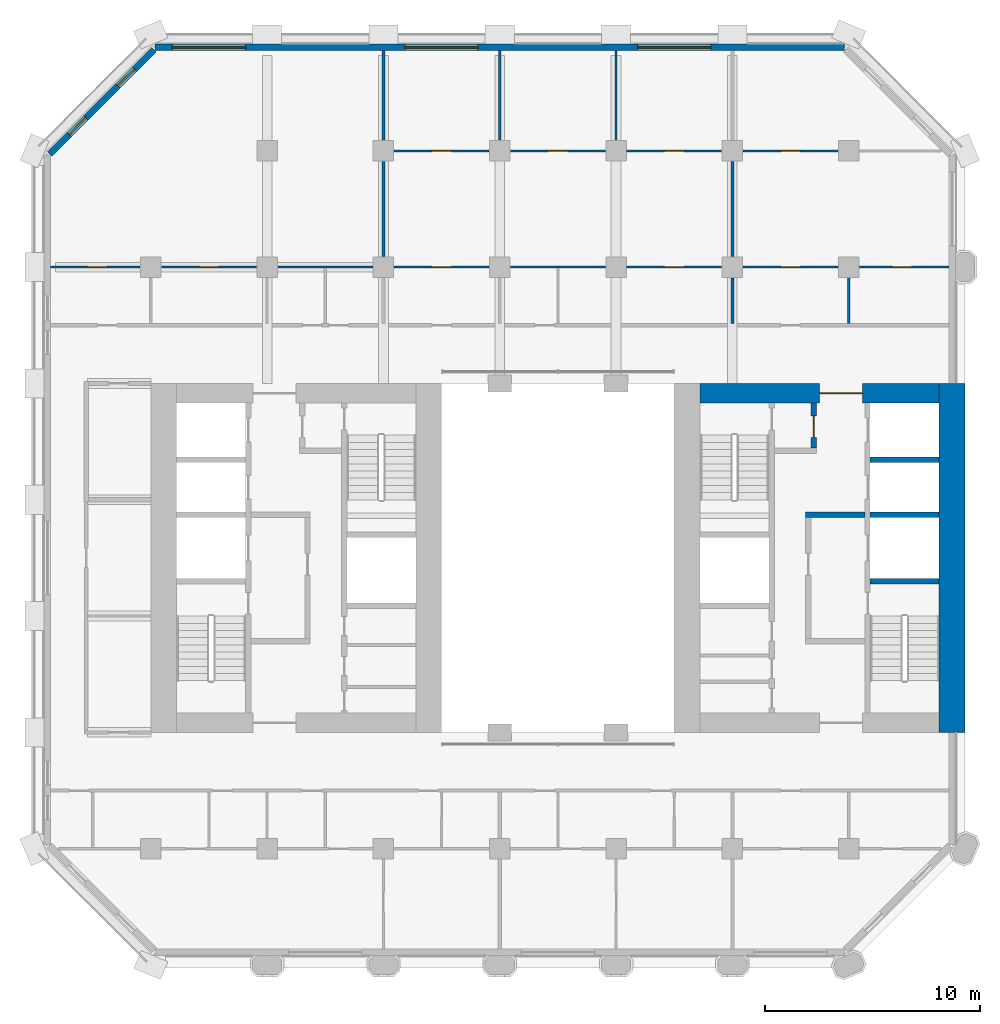
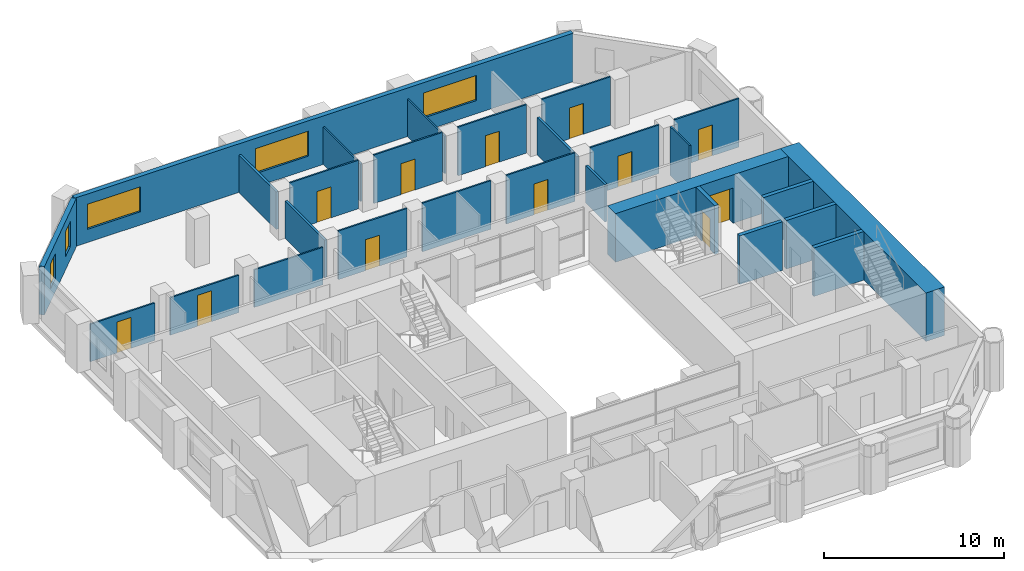
# One storey, part 9 of 13: 28 walls, 12 doors, 5 windows, 17 openings.
"""IFC4 building model written with IfcOpenShell, lengths in metres."""

from ifc_helpers import new_model, si_unit, direction, frame, frame_2d, origin, place, context, subcontext, project, spatial, rectangle, extrude, material, layer, layer_set, type_object, element, fill, save


model = new_model("IFC4")

# Units and contexts
model_context = context("Model", 3, precision=1e-05, world=origin(), true_north=direction((0.0, 1.0)))
body_context = subcontext(model_context, "Body", "Model", "MODEL_VIEW")
ifc_project = project(units=[si_unit("LENGTHUNIT", "METRE"), si_unit("AREAUNIT", "SQUARE_METRE"), si_unit("VOLUMEUNIT", "CUBIC_METRE"), si_unit("PLANEANGLEUNIT", "RADIAN"), si_unit("MASSUNIT", "GRAM", prefix="KILO")], contexts=[model_context])

# Site, building, storey
site_placement = place(None, origin())
site = spatial("IfcSite", under=ifc_project, at=site_placement, CompositionType="ELEMENT")
building_placement = place(site_placement, origin())
building = spatial("IfcBuilding", under=site, at=building_placement, Name="Tabaq Tower and Sports Hall", CompositionType="ELEMENT")
storey_placement = place(building_placement, frame((0.0, 0.0, 122.0)))
storey = spatial("IfcBuildingStorey", under=building, at=storey_placement, Name="L29", CompositionType="ELEMENT", Elevation=122.0)

# Wall
ifc_material_1 = material(Name="Concrete C60/75", Category="concrete")
ifc_layer_1 = layer(ifc_material_1, 1.199951171875)
ifc_layer_set_1 = layer_set([ifc_layer_1], Name="Core wall 1200 Concrete C60/75")
wall_type_1 = type_object("IfcWallType", Name="Core wall 1200 Concrete C60/75", PredefinedType="SOLIDWALL", material=ifc_layer_set_1)
wall_1_placement = place(storey_placement, frame((42.60009765625, 32.39990234375, 0.0), z_axis=(0.0, 0.0, 1.0), x_axis=(0.0, -1.0, 0.0)))
element("IfcWall", 1, at=wall_1_placement, inside=storey, type_object=wall_type_1, Name="Core wall E L29", PredefinedType="SOLIDWALL", context=body_context, shape_type="SweptSolid", body=[
    extrude(rectangle(XDim=16.199951171875, YDim=1.199951171875, at=frame_2d((8.10009765625, 0.0))), origin(), (0.0, 0.0, 1.0), 3.300048828125),
])

# Wall, opening, door
ifc_material_2 = material(Name="Concrete C60/75", Category="concrete")
ifc_layer_2 = layer(ifc_material_2, 0.89990234375)
ifc_layer_set_2 = layer_set([ifc_layer_2], Name="Core wall 900 Concrete C60/75")
wall_type_2 = type_object("IfcWallType", Name="Core wall 900 Concrete C60/75", PredefinedType="SOLIDWALL", material=ifc_layer_set_2)
wall_2_placement = place(storey_placement, frame((30.89990234375, 31.949951171875, 0.0), z_axis=(0.0, 0.0, 1.0), x_axis=(1.0, 0.0, 0.0)))
wall_2 = element("IfcWall", 2, at=wall_2_placement, inside=storey, type_object=wall_type_2, Name="Core wall E L29", PredefinedType="SOLIDWALL", context=body_context, shape_type="SweptSolid", body=[
    extrude(rectangle(XDim=11.10009765625, YDim=0.89990234375, at=frame_2d((5.550048828125, 0.0))), origin(), (0.0, 0.0, 1.0), 3.300048828125),
])
opening_1_placement = place(wall_2_placement, frame((5.550048828125, 0.0, 0.0)))
opening_1 = element("IfcOpeningElement", 3, at=opening_1_placement, cuts=wall_2, Name="Opening PD-EL29-02", PredefinedType="OPENING", context=body_context, shape_type="SweptSolid", body=[
    extrude(rectangle(XDim=2.0, YDim=2.39990234375, at=frame_2d((1.0, 1.199951171875))), frame((0.0, 0.449951171875, 0.0), z_axis=(0.0, -1.0, 0.0), x_axis=(1.0, 0.0, 0.0)), (0.0, 0.0, 1.0), 0.89990234375),
])
ifc_material_3 = material(Name="Steel fire door", Category="steel")
door_type_1 = type_object("IfcDoorType", Name="Core entrance door 2000", OperationType="DOUBLE_DOOR_SINGLE_SWING", PredefinedType="DOOR", material=ifc_material_3)
door_1_placement = place(opening_1_placement, origin())
door_1 = element("IfcDoor", 4, at=door_1_placement, inside=storey, type_object=door_type_1, Name="Core entrance north E L29", OperationType="DOUBLE_DOOR_SINGLE_SWING", OverallHeight=2.39990234375, OverallWidth=2.0, PredefinedType="DOOR", context=body_context, shape_type="SweptSolid", body=[
    extrude(rectangle(XDim=2.0, YDim=2.39990234375, at=frame_2d((1.0, 1.199951171875))), frame((0.0, 0.02490234375, 0.0), z_axis=(0.0, -1.0, 0.0), x_axis=(1.0, 0.0, 0.0)), (0.0, 0.0, 1.0), 0.050048828125),
])
fill(opening_1, door_1)

ifc_material_4 = material(Name="Gypsum board on steel studs", Category="steel")
ifc_layer_3 = layer(ifc_material_4, 0.10009765625)
ifc_layer_set_3 = layer_set([ifc_layer_3], Name="Partition 100 Gypsum board")
wall_type_3 = type_object("IfcWallType", Name="Partition 100 Gypsum board", PredefinedType="PARTITIONING", material=ifc_layer_set_3)
wall_3_placement = place(storey_placement, frame((4.905029296875, 37.800048828125, 0.0), z_axis=(0.0, 0.0, 1.0), x_axis=(-1.0, 0.0, 0.0)))
wall_3 = element("IfcWall", 5, at=wall_3_placement, inside=storey, type_object=wall_type_3, Name="Partition wall L29", PredefinedType="PARTITIONING", context=body_context, shape_type="SweptSolid", body=[
    extrude(rectangle(XDim=4.154052734375, YDim=0.10009765625, at=frame_2d((2.0771484375, 0.0))), origin(), (0.0, 0.0, 1.0), 2.550048828125),
])
opening_2_placement = place(wall_3_placement, frame((1.530029296875, 0.0, 0.0)))
opening_2 = element("IfcOpeningElement", 6, at=opening_2_placement, cuts=wall_3, Name="Opening L29-028", PredefinedType="OPENING", context=body_context, shape_type="SweptSolid", body=[
    extrude(rectangle(XDim=0.89990234375, YDim=2.10009765625, at=frame_2d((0.449951171875, 1.050048828125))), frame((0.0, 0.050048828125, 0.0), z_axis=(0.0, -1.0, 0.0), x_axis=(1.0, 0.0, 0.0)), (0.0, 0.0, 1.0), 0.10009765625),
])
ifc_material_5 = material(Name="Timber leaf in steel frame", Category="steel")
door_type_2 = type_object("IfcDoorType", Name="Internal door 900 right hand", OperationType="SINGLE_SWING_RIGHT", PredefinedType="DOOR", material=ifc_material_5)
door_2_placement = place(opening_2_placement, origin())
door_2 = element("IfcDoor", 7, at=door_2_placement, inside=storey, type_object=door_type_2, Name="Internal door L29-028", OperationType="SINGLE_SWING_RIGHT", OverallHeight=2.10009765625, OverallWidth=0.89990234375, PredefinedType="DOOR", context=body_context, shape_type="SweptSolid", body=[
    extrude(rectangle(XDim=0.89990234375, YDim=2.10009765625, at=frame_2d((0.449951171875, 1.050048828125))), frame((0.0, 0.02490234375, 0.0), z_axis=(0.0, -1.0, 0.0), x_axis=(1.0, 0.0, 0.0)), (0.0, 0.0, 1.0), 0.050048828125),
])
fill(opening_2, door_2)

wall_4_placement = place(storey_placement, frame((10.304931640625, 37.800048828125, 0.0), z_axis=(0.0, 0.0, 1.0), x_axis=(-1.0, 0.0, 0.0)))
wall_4 = element("IfcWall", 8, at=wall_4_placement, inside=storey, type_object=wall_type_3, Name="Partition wall L29", PredefinedType="PARTITIONING", context=body_context, shape_type="SweptSolid", body=[
    extrude(rectangle(XDim=4.409912109375, YDim=0.10009765625, at=frame_2d((2.205078125, 0.0))), origin(), (0.0, 0.0, 1.0), 2.550048828125),
])
opening_3_placement = place(wall_4_placement, frame((1.7548828125, 0.0, 0.0)))
opening_3 = element("IfcOpeningElement", 9, at=opening_3_placement, cuts=wall_4, Name="Opening L29-011", PredefinedType="OPENING", context=body_context, shape_type="SweptSolid", body=[
    extrude(rectangle(XDim=0.89990234375, YDim=2.10009765625, at=frame_2d((0.449951171875, 1.050048828125))), frame((0.0, 0.050048828125, 0.0), z_axis=(0.0, -1.0, 0.0), x_axis=(1.0, 0.0, 0.0)), (0.0, 0.0, 1.0), 0.10009765625),
])
ifc_material_6 = material(Name="Timber leaf in steel frame", Category="steel")
door_type_3 = type_object("IfcDoorType", Name="Internal door 900 left hand", OperationType="SINGLE_SWING_LEFT", PredefinedType="DOOR", material=ifc_material_6)
door_3_placement = place(opening_3_placement, origin())
door_3 = element("IfcDoor", 10, at=door_3_placement, inside=storey, type_object=door_type_3, Name="Internal door L29-011", OperationType="SINGLE_SWING_LEFT", OverallHeight=2.10009765625, OverallWidth=0.89990234375, PredefinedType="DOOR", context=body_context, shape_type="SweptSolid", body=[
    extrude(rectangle(XDim=0.89990234375, YDim=2.10009765625, at=frame_2d((0.449951171875, 1.050048828125))), frame((0.0, 0.02490234375, 0.0), z_axis=(0.0, -1.0, 0.0), x_axis=(1.0, 0.0, 0.0)), (0.0, 0.0, 1.0), 0.050048828125),
])
fill(opening_3, door_3)

# Wall
wall_5_placement = place(storey_placement, frame((15.705078125, 37.800048828125, 0.0), z_axis=(0.0, 0.0, 1.0), x_axis=(-1.0, 0.0, 0.0)))
element("IfcWall", 11, at=wall_5_placement, inside=storey, type_object=wall_type_3, Name="Partition wall L29", PredefinedType="PARTITIONING", context=body_context, shape_type="SweptSolid", body=[
    extrude(rectangle(XDim=4.41015625, YDim=0.10009765625, at=frame_2d((2.205078125, 0.0))), origin(), (0.0, 0.0, 1.0), 2.550048828125),
])

# Wall, opening, door
wall_6_placement = place(storey_placement, frame((21.10498046875, 37.800048828125, 0.0), z_axis=(0.0, 0.0, 1.0), x_axis=(-1.0, 0.0, 0.0)))
wall_6 = element("IfcWall", 12, at=wall_6_placement, inside=storey, type_object=wall_type_3, Name="Partition wall L29", PredefinedType="PARTITIONING", context=body_context, shape_type="SweptSolid", body=[
    extrude(rectangle(XDim=4.409912109375, YDim=0.10009765625, at=frame_2d((2.205078125, 0.0))), origin(), (0.0, 0.0, 1.0), 3.300048828125),
])
opening_4_placement = place(wall_6_placement, frame((1.7548828125, 0.0, 0.0)))
opening_4 = element("IfcOpeningElement", 13, at=opening_4_placement, cuts=wall_6, Name="Opening L29-029", PredefinedType="OPENING", context=body_context, shape_type="SweptSolid", body=[
    extrude(rectangle(XDim=0.89990234375, YDim=2.10009765625, at=frame_2d((0.449951171875, 1.050048828125))), frame((0.0, 0.050048828125, 0.0), z_axis=(0.0, -1.0, 0.0), x_axis=(1.0, 0.0, 0.0)), (0.0, 0.0, 1.0), 0.10009765625),
])
door_4_placement = place(opening_4_placement, origin())
door_4 = element("IfcDoor", 14, at=door_4_placement, inside=storey, type_object=door_type_3, Name="Internal door L29-029", OperationType="SINGLE_SWING_LEFT", OverallHeight=2.10009765625, OverallWidth=0.89990234375, PredefinedType="DOOR", context=body_context, shape_type="SweptSolid", body=[
    extrude(rectangle(XDim=0.89990234375, YDim=2.10009765625, at=frame_2d((0.449951171875, 1.050048828125))), frame((0.0, 0.02490234375, 0.0), z_axis=(0.0, -1.0, 0.0), x_axis=(1.0, 0.0, 0.0)), (0.0, 0.0, 1.0), 0.050048828125),
])
fill(opening_4, door_4)

wall_7_placement = place(storey_placement, frame((31.905029296875, 37.800048828125, 0.0), z_axis=(0.0, 0.0, 1.0), x_axis=(-1.0, 0.0, 0.0)))
wall_7 = element("IfcWall", 15, at=wall_7_placement, inside=storey, type_object=wall_type_3, Name="Partition wall L29", PredefinedType="PARTITIONING", context=body_context, shape_type="SweptSolid", body=[
    extrude(rectangle(XDim=4.409912109375, YDim=0.10009765625, at=frame_2d((2.205078125, 0.0))), origin(), (0.0, 0.0, 1.0), 3.300048828125),
])
opening_5_placement = place(wall_7_placement, frame((1.7548828125, 0.0, 0.0)))
opening_5 = element("IfcOpeningElement", 16, at=opening_5_placement, cuts=wall_7, Name="Opening L29-012", PredefinedType="OPENING", context=body_context, shape_type="SweptSolid", body=[
    extrude(rectangle(XDim=0.89990234375, YDim=2.10009765625, at=frame_2d((0.449951171875, 1.050048828125))), frame((0.0, 0.050048828125, 0.0), z_axis=(0.0, -1.0, 0.0), x_axis=(1.0, 0.0, 0.0)), (0.0, 0.0, 1.0), 0.10009765625),
])
door_5_placement = place(opening_5_placement, origin())
door_5 = element("IfcDoor", 17, at=door_5_placement, inside=storey, type_object=door_type_2, Name="Internal door L29-012", OperationType="SINGLE_SWING_RIGHT", OverallHeight=2.10009765625, OverallWidth=0.89990234375, PredefinedType="DOOR", context=body_context, shape_type="SweptSolid", body=[
    extrude(rectangle(XDim=0.89990234375, YDim=2.10009765625, at=frame_2d((0.449951171875, 1.050048828125))), frame((0.0, 0.02490234375, 0.0), z_axis=(0.0, -1.0, 0.0), x_axis=(1.0, 0.0, 0.0)), (0.0, 0.0, 1.0), 0.050048828125),
])
fill(opening_5, door_5)

# Wall
wall_8_placement = place(storey_placement, frame((26.5048828125, 37.800048828125, 0.0), z_axis=(0.0, 0.0, 1.0), x_axis=(-1.0, 0.0, 0.0)))
element("IfcWall", 18, at=wall_8_placement, inside=storey, type_object=wall_type_3, Name="Partition wall L29", PredefinedType="PARTITIONING", context=body_context, shape_type="SweptSolid", body=[
    extrude(rectangle(XDim=4.409912109375, YDim=0.10009765625, at=frame_2d((2.205078125, 0.0))), origin(), (0.0, 0.0, 1.0), 3.300048828125),
])

# Wall, opening, door
wall_9_placement = place(storey_placement, frame((31.905029296875, 43.199951171875, 0.0), z_axis=(0.0, 0.0, 1.0), x_axis=(-1.0, 0.0, 0.0)))
wall_9 = element("IfcWall", 19, at=wall_9_placement, inside=storey, type_object=wall_type_3, Name="Partition wall L29", PredefinedType="PARTITIONING", context=body_context, shape_type="SweptSolid", body=[
    extrude(rectangle(XDim=4.409912109375, YDim=0.10009765625, at=frame_2d((2.205078125, 0.0))), origin(), (0.0, 0.0, 1.0), 3.300048828125),
])
opening_6_placement = place(wall_9_placement, frame((1.7548828125, 0.0, 0.0)))
opening_6 = element("IfcOpeningElement", 20, at=opening_6_placement, cuts=wall_9, Name="Opening L29-015", PredefinedType="OPENING", context=body_context, shape_type="SweptSolid", body=[
    extrude(rectangle(XDim=0.89990234375, YDim=2.10009765625, at=frame_2d((0.449951171875, 1.050048828125))), frame((0.0, 0.050048828125, 0.0), z_axis=(0.0, -1.0, 0.0), x_axis=(1.0, 0.0, 0.0)), (0.0, 0.0, 1.0), 0.10009765625),
])
door_6_placement = place(opening_6_placement, origin())
door_6 = element("IfcDoor", 21, at=door_6_placement, inside=storey, type_object=door_type_2, Name="Internal door L29-015", OperationType="SINGLE_SWING_RIGHT", OverallHeight=2.10009765625, OverallWidth=0.89990234375, PredefinedType="DOOR", context=body_context, shape_type="SweptSolid", body=[
    extrude(rectangle(XDim=0.89990234375, YDim=2.10009765625, at=frame_2d((0.449951171875, 1.050048828125))), frame((0.0, 0.02490234375, 0.0), z_axis=(0.0, -1.0, 0.0), x_axis=(1.0, 0.0, 0.0)), (0.0, 0.0, 1.0), 0.050048828125),
])
fill(opening_6, door_6)

wall_10_placement = place(storey_placement, frame((26.5048828125, 43.199951171875, 0.0), z_axis=(0.0, 0.0, 1.0), x_axis=(-1.0, 0.0, 0.0)))
wall_10 = element("IfcWall", 22, at=wall_10_placement, inside=storey, type_object=wall_type_3, Name="Partition wall L29", PredefinedType="PARTITIONING", context=body_context, shape_type="SweptSolid", body=[
    extrude(rectangle(XDim=4.409912109375, YDim=0.10009765625, at=frame_2d((2.205078125, 0.0))), origin(), (0.0, 0.0, 1.0), 3.300048828125),
])
opening_7_placement = place(wall_10_placement, frame((1.7548828125, 0.0, 0.0)))
opening_7 = element("IfcOpeningElement", 23, at=opening_7_placement, cuts=wall_10, Name="Opening L29-014", PredefinedType="OPENING", context=body_context, shape_type="SweptSolid", body=[
    extrude(rectangle(XDim=0.89990234375, YDim=2.10009765625, at=frame_2d((0.449951171875, 1.050048828125))), frame((0.0, 0.050048828125, 0.0), z_axis=(0.0, -1.0, 0.0), x_axis=(1.0, 0.0, 0.0)), (0.0, 0.0, 1.0), 0.10009765625),
])
door_7_placement = place(opening_7_placement, origin())
door_7 = element("IfcDoor", 24, at=door_7_placement, inside=storey, type_object=door_type_2, Name="Internal door L29-014", OperationType="SINGLE_SWING_RIGHT", OverallHeight=2.10009765625, OverallWidth=0.89990234375, PredefinedType="DOOR", context=body_context, shape_type="SweptSolid", body=[
    extrude(rectangle(XDim=0.89990234375, YDim=2.10009765625, at=frame_2d((0.449951171875, 1.050048828125))), frame((0.0, 0.02490234375, 0.0), z_axis=(0.0, -1.0, 0.0), x_axis=(1.0, 0.0, 0.0)), (0.0, 0.0, 1.0), 0.050048828125),
])
fill(opening_7, door_7)

wall_11_placement = place(storey_placement, frame((21.10498046875, 43.199951171875, 0.0), z_axis=(0.0, 0.0, 1.0), x_axis=(-1.0, 0.0, 0.0)))
wall_11 = element("IfcWall", 25, at=wall_11_placement, inside=storey, type_object=wall_type_3, Name="Partition wall L29", PredefinedType="PARTITIONING", context=body_context, shape_type="SweptSolid", body=[
    extrude(rectangle(XDim=4.409912109375, YDim=0.10009765625, at=frame_2d((2.205078125, 0.0))), origin(), (0.0, 0.0, 1.0), 3.300048828125),
])
opening_8_placement = place(wall_11_placement, frame((1.7548828125, 0.0, 0.0)))
opening_8 = element("IfcOpeningElement", 26, at=opening_8_placement, cuts=wall_11, Name="Opening L29-013", PredefinedType="OPENING", context=body_context, shape_type="SweptSolid", body=[
    extrude(rectangle(XDim=0.89990234375, YDim=2.10009765625, at=frame_2d((0.449951171875, 1.050048828125))), frame((0.0, 0.050048828125, 0.0), z_axis=(0.0, -1.0, 0.0), x_axis=(1.0, 0.0, 0.0)), (0.0, 0.0, 1.0), 0.10009765625),
])
door_8_placement = place(opening_8_placement, origin())
door_8 = element("IfcDoor", 27, at=door_8_placement, inside=storey, type_object=door_type_2, Name="Internal door L29-013", OperationType="SINGLE_SWING_RIGHT", OverallHeight=2.10009765625, OverallWidth=0.89990234375, PredefinedType="DOOR", context=body_context, shape_type="SweptSolid", body=[
    extrude(rectangle(XDim=0.89990234375, YDim=2.10009765625, at=frame_2d((0.449951171875, 1.050048828125))), frame((0.0, 0.02490234375, 0.0), z_axis=(0.0, -1.0, 0.0), x_axis=(1.0, 0.0, 0.0)), (0.0, 0.0, 1.0), 0.050048828125),
])
fill(opening_8, door_8)

# Walls
for number, where, z_axis, x_axis, name in (
    (28, (21.60009765625, 43.695068359375, 0.0), (0.0, 0.0, 1.0), (0.0, 1.0, 0.0), "Partition wall L29"),
    (29, (27.0, 43.695068359375, 0.0), (0.0, 0.0, 1.0), (0.0, 1.0, 0.0), "Partition wall L29"),
):
    element("IfcWall", number, at=place(storey_placement, frame(where, z_axis=z_axis, x_axis=x_axis)), inside=storey, type_object=wall_type_3, Name=name, PredefinedType="PARTITIONING", context=body_context, shape_type="SweptSolid", body=[
        extrude(rectangle(XDim=4.154052734375, YDim=0.10009765625, at=frame_2d((2.0771484375, 0.0))), origin(), (0.0, 0.0, 1.0), 2.550048828125),
    ])
wall_12_placement = place(storey_placement, frame((37.800048828125, 35.175048828125, 0.0), z_axis=(0.0, 0.0, 1.0), x_axis=(0.0, 1.0, 0.0)))
element("IfcWall", 30, at=wall_12_placement, inside=storey, type_object=wall_type_3, Name="Partition wall L29", PredefinedType="PARTITIONING", context=body_context, shape_type="SweptSolid", body=[
    extrude(rectangle(XDim=2.1298828125, YDim=0.10009765625, at=frame_2d((1.06494140625, 0.0))), origin(), (0.0, 0.0, 1.0), 3.300048828125),
])

# Wall, opening, door
wall_13_placement = place(storey_placement, frame((37.304931640625, 37.800048828125, 0.0), z_axis=(0.0, 0.0, 1.0), x_axis=(-1.0, 0.0, 0.0)))
wall_13 = element("IfcWall", 31, at=wall_13_placement, inside=storey, type_object=wall_type_3, Name="Partition wall L29", PredefinedType="PARTITIONING", context=body_context, shape_type="SweptSolid", body=[
    extrude(rectangle(XDim=4.409912109375, YDim=0.10009765625, at=frame_2d((2.205078125, 0.0))), origin(), (0.0, 0.0, 1.0), 3.300048828125),
])
opening_9_placement = place(wall_13_placement, frame((1.7548828125, 0.0, 0.0)))
opening_9 = element("IfcOpeningElement", 32, at=opening_9_placement, cuts=wall_13, Name="Opening L29-030", PredefinedType="OPENING", context=body_context, shape_type="SweptSolid", body=[
    extrude(rectangle(XDim=0.89990234375, YDim=2.10009765625, at=frame_2d((0.449951171875, 1.050048828125))), frame((0.0, 0.050048828125, 0.0), z_axis=(0.0, -1.0, 0.0), x_axis=(1.0, 0.0, 0.0)), (0.0, 0.0, 1.0), 0.10009765625),
])
door_9_placement = place(opening_9_placement, origin())
door_9 = element("IfcDoor", 33, at=door_9_placement, inside=storey, type_object=door_type_3, Name="Internal door L29-030", OperationType="SINGLE_SWING_LEFT", OverallHeight=2.10009765625, OverallWidth=0.89990234375, PredefinedType="DOOR", context=body_context, shape_type="SweptSolid", body=[
    extrude(rectangle(XDim=0.89990234375, YDim=2.10009765625, at=frame_2d((0.449951171875, 1.050048828125))), frame((0.0, 0.02490234375, 0.0), z_axis=(0.0, -1.0, 0.0), x_axis=(1.0, 0.0, 0.0)), (0.0, 0.0, 1.0), 0.050048828125),
])
fill(opening_9, door_9)

wall_14_placement = place(storey_placement, frame((42.448974609375, 37.800048828125, 0.0), z_axis=(0.0, 0.0, 1.0), x_axis=(-1.0, 0.0, 0.0)))
wall_14 = element("IfcWall", 34, at=wall_14_placement, inside=storey, type_object=wall_type_3, Name="Partition wall L29", PredefinedType="PARTITIONING", context=body_context, shape_type="SweptSolid", body=[
    extrude(rectangle(XDim=4.154052734375, YDim=0.10009765625, at=frame_2d((2.0771484375, 0.0))), origin(), (0.0, 0.0, 1.0), 3.300048828125),
])
opening_10_placement = place(wall_14_placement, frame((1.72412109375, 0.0, 0.0)))
opening_10 = element("IfcOpeningElement", 35, at=opening_10_placement, cuts=wall_14, Name="Opening L29-016", PredefinedType="OPENING", context=body_context, shape_type="SweptSolid", body=[
    extrude(rectangle(XDim=0.89990234375, YDim=2.10009765625, at=frame_2d((0.449951171875, 1.050048828125))), frame((0.0, 0.050048828125, 0.0), z_axis=(0.0, -1.0, 0.0), x_axis=(1.0, 0.0, 0.0)), (0.0, 0.0, 1.0), 0.10009765625),
])
door_10_placement = place(opening_10_placement, origin())
door_10 = element("IfcDoor", 36, at=door_10_placement, inside=storey, type_object=door_type_2, Name="Internal door L29-016", OperationType="SINGLE_SWING_RIGHT", OverallHeight=2.10009765625, OverallWidth=0.89990234375, PredefinedType="DOOR", context=body_context, shape_type="SweptSolid", body=[
    extrude(rectangle(XDim=0.89990234375, YDim=2.10009765625, at=frame_2d((0.449951171875, 1.050048828125))), frame((0.0, 0.02490234375, 0.0), z_axis=(0.0, -1.0, 0.0), x_axis=(1.0, 0.0, 0.0)), (0.0, 0.0, 1.0), 0.050048828125),
])
fill(opening_10, door_10)

wall_15_placement = place(storey_placement, frame((37.304931640625, 43.199951171875, 0.0), z_axis=(0.0, 0.0, 1.0), x_axis=(-1.0, 0.0, 0.0)))
wall_15 = element("IfcWall", 37, at=wall_15_placement, inside=storey, type_object=wall_type_3, Name="Partition wall L29", PredefinedType="PARTITIONING", context=body_context, shape_type="SweptSolid", body=[
    extrude(rectangle(XDim=4.409912109375, YDim=0.10009765625, at=frame_2d((2.205078125, 0.0))), origin(), (0.0, 0.0, 1.0), 3.300048828125),
])
opening_11_placement = place(wall_15_placement, frame((1.7548828125, 0.0, 0.0)))
opening_11 = element("IfcOpeningElement", 38, at=opening_11_placement, cuts=wall_15, Name="Opening L29-017", PredefinedType="OPENING", context=body_context, shape_type="SweptSolid", body=[
    extrude(rectangle(XDim=0.89990234375, YDim=2.10009765625, at=frame_2d((0.449951171875, 1.050048828125))), frame((0.0, 0.050048828125, 0.0), z_axis=(0.0, -1.0, 0.0), x_axis=(1.0, 0.0, 0.0)), (0.0, 0.0, 1.0), 0.10009765625),
])
door_11_placement = place(opening_11_placement, origin())
door_11 = element("IfcDoor", 39, at=door_11_placement, inside=storey, type_object=door_type_2, Name="Internal door L29-017", OperationType="SINGLE_SWING_RIGHT", OverallHeight=2.10009765625, OverallWidth=0.89990234375, PredefinedType="DOOR", context=body_context, shape_type="SweptSolid", body=[
    extrude(rectangle(XDim=0.89990234375, YDim=2.10009765625, at=frame_2d((0.449951171875, 1.050048828125))), frame((0.0, 0.02490234375, 0.0), z_axis=(0.0, -1.0, 0.0), x_axis=(1.0, 0.0, 0.0)), (0.0, 0.0, 1.0), 0.050048828125),
])
fill(opening_11, door_11)

# Walls
ifc_material_7 = material(Name="Blockwork", Category="masonry")
ifc_layer_4 = layer(ifc_material_7, 0.14990234375)
ifc_layer_set_4 = layer_set([ifc_layer_4], Name="Separating wall 150 Blockwork")
wall_type_4 = type_object("IfcWallType", Name="Separating wall 150 Blockwork", PredefinedType="PARTITIONING", material=ifc_layer_set_4)
wall_16_placement = place(storey_placement, frame((16.199951171875, 38.294921875, 0.0), z_axis=(0.0, 0.0, 1.0), x_axis=(0.0, 1.0, 0.0)))
element("IfcWall", 40, at=wall_16_placement, inside=storey, type_object=wall_type_4, Name="Separating wall L29", PredefinedType="PARTITIONING", context=body_context, shape_type="SweptSolid", body=[
    extrude(rectangle(XDim=4.41015625, YDim=0.14990234375, at=frame_2d((2.205078125, 0.0))), origin(), (0.0, 0.0, 1.0), 2.550048828125),
])
wall_17_placement = place(storey_placement, frame((16.199951171875, 43.695068359375, 0.0), z_axis=(0.0, 0.0, 1.0), x_axis=(0.0, 1.0, 0.0)))
element("IfcWall", 41, at=wall_17_placement, inside=storey, type_object=wall_type_4, Name="Separating wall L29", PredefinedType="PARTITIONING", context=body_context, shape_type="SweptSolid", body=[
    extrude(rectangle(XDim=4.154052734375, YDim=0.14990234375, at=frame_2d((2.0771484375, 0.0))), origin(), (0.0, 0.0, 1.0), 2.550048828125),
])
wall_18_placement = place(storey_placement, frame((32.39990234375, 35.175048828125, 0.0), z_axis=(0.0, 0.0, 1.0), x_axis=(0.0, 1.0, 0.0)))
element("IfcWall", 42, at=wall_18_placement, inside=storey, type_object=wall_type_4, Name="Separating wall L29", PredefinedType="PARTITIONING", context=body_context, shape_type="SweptSolid", body=[
    extrude(rectangle(XDim=2.1298828125, YDim=0.14990234375, at=frame_2d((1.06494140625, 0.0))), origin(), (0.0, 0.0, 1.0), 2.550048828125),
])
wall_19_placement = place(storey_placement, frame((32.39990234375, 38.294921875, 0.0), z_axis=(0.0, 0.0, 1.0), x_axis=(0.0, 1.0, 0.0)))
element("IfcWall", 43, at=wall_19_placement, inside=storey, type_object=wall_type_4, Name="Separating wall L29", PredefinedType="PARTITIONING", context=body_context, shape_type="SweptSolid", body=[
    extrude(rectangle(XDim=4.41015625, YDim=0.14990234375, at=frame_2d((2.205078125, 0.0))), origin(), (0.0, 0.0, 1.0), 2.550048828125),
])
ifc_material_8 = material(Name="Concrete C40/50", Category="concrete")
ifc_layer_5 = layer(ifc_material_8, 0.25)
ifc_layer_set_5 = layer_set([ifc_layer_5], Name="Shaft and stair wall 250 Concrete C40/50")
wall_type_5 = type_object("IfcWallType", Name="Shaft and stair wall 250 Concrete C40/50", PredefinedType="SOLIDWALL", material=ifc_layer_set_5)
for number, where, z_axis, x_axis, name in (
    (44, (38.800048828125, 23.22509765625, 0.0), (0.0, 0.0, 1.0), (1.0, 0.0, 0.0), "Stair enclosure wall E L29"),
    (45, (38.800048828125, 26.300048828125, 0.0), (0.0, 0.0, 1.0), (1.0, 0.0, 0.0), "Shaft wall E L29"),
):
    element("IfcWall", number, at=place(storey_placement, frame(where, z_axis=z_axis, x_axis=x_axis)), inside=storey, type_object=wall_type_5, Name=name, PredefinedType="SOLIDWALL", context=body_context, shape_type="SweptSolid", body=[
        extrude(rectangle(XDim=3.199951171875, YDim=0.25, at=frame_2d((1.60009765625, 0.0))), origin(), (0.0, 0.0, 1.0), 3.300048828125),
    ])
wall_20_placement = place(storey_placement, frame((35.800048828125, 26.300048828125, 0.0), z_axis=(0.0, 0.0, 1.0), x_axis=(1.0, 0.0, 0.0)))
element("IfcWall", 46, at=wall_20_placement, inside=storey, type_object=wall_type_5, Name="Fire-fighting lobby wall E L29", PredefinedType="SOLIDWALL", context=body_context, shape_type="SweptSolid", body=[
    extrude(rectangle(XDim=2.75, YDim=0.25, at=frame_2d((1.375, 0.0))), origin(), (0.0, 0.0, 1.0), 3.300048828125),
])

# Wall, opening, door
wall_21_placement = place(storey_placement, frame((36.175048828125, 29.39990234375, 0.0), z_axis=(0.0, 0.0, 1.0), x_axis=(0.0, 1.0, 0.0)))
wall_21 = element("IfcWall", 47, at=wall_21_placement, inside=storey, type_object=wall_type_5, Name="Fire-fighting lobby wall E L29", PredefinedType="SOLIDWALL", context=body_context, shape_type="SweptSolid", body=[
    extrude(rectangle(XDim=2.10009765625, YDim=0.25, at=frame_2d((1.050048828125, 0.0))), origin(), (0.0, 0.0, 1.0), 3.300048828125),
])
opening_12_placement = place(wall_21_placement, frame((0.5, 0.0, 0.0)))
opening_12 = element("IfcOpeningElement", 48, at=opening_12_placement, cuts=wall_21, Name="Opening FD-EL29-06", PredefinedType="OPENING", context=body_context, shape_type="SweptSolid", body=[
    extrude(rectangle(XDim=1.0, YDim=2.10009765625, at=frame_2d((0.5, 1.050048828125))), frame((0.0, 0.125, 0.0), z_axis=(0.0, -1.0, 0.0), x_axis=(1.0, 0.0, 0.0)), (0.0, 0.0, 1.0), 0.25),
])
ifc_material_9 = material(Name="Steel fire door", Category="steel")
door_type_4 = type_object("IfcDoorType", Name="Fire-fighting lobby door 1000", OperationType="SINGLE_SWING_LEFT", PredefinedType="DOOR", material=ifc_material_9)
door_12_placement = place(opening_12_placement, origin())
door_12 = element("IfcDoor", 49, at=door_12_placement, inside=storey, type_object=door_type_4, Name="Stair lobby door E L29", OperationType="SINGLE_SWING_LEFT", OverallHeight=2.10009765625, OverallWidth=1.0, PredefinedType="DOOR", context=body_context, shape_type="SweptSolid", body=[
    extrude(rectangle(XDim=1.0, YDim=2.10009765625, at=frame_2d((0.5, 1.050048828125))), frame((0.0, 0.02490234375, 0.0), z_axis=(0.0, -1.0, 0.0), x_axis=(1.0, 0.0, 0.0)), (0.0, 0.0, 1.0), 0.050048828125),
])
fill(opening_12, door_12)

# Wall
wall_22_placement = place(storey_placement, frame((38.800048828125, 28.85009765625, 0.0), z_axis=(0.0, 0.0, 1.0), x_axis=(1.0, 0.0, 0.0)))
element("IfcWall", 50, at=wall_22_placement, inside=storey, type_object=wall_type_5, Name="Shaft wall E L29", PredefinedType="SOLIDWALL", context=body_context, shape_type="SweptSolid", body=[
    extrude(rectangle(XDim=3.199951171875, YDim=0.25, at=frame_2d((1.60009765625, 0.0))), origin(), (0.0, 0.0, 1.0), 3.300048828125),
])

# Wall, openings, windows
ifc_material_10 = material(Name="White precast concrete C60/75", Category="concrete")
ifc_layer_6 = layer(ifc_material_10, 0.300048828125)
ifc_layer_set_6 = layer_set([ifc_layer_6], Name="White precast concrete C60/75 external wall 300")
wall_type_6 = type_object("IfcWallType", Name="White precast concrete C60/75 external wall 300", PredefinedType="SOLIDWALL", material=ifc_layer_set_6)
wall_23_placement = place(storey_placement, frame((37.613525390625, 48.0, 0.0), z_axis=(0.0, 0.0, 1.0), x_axis=(-1.0, 0.0, 0.0)))
wall_23 = element("IfcWall", 51, at=wall_23_placement, inside=storey, type_object=wall_type_6, Name="External Wall L29 N", PredefinedType="SOLIDWALL", context=body_context, shape_type="SweptSolid", body=[
    extrude(rectangle(XDim=32.027099609375, YDim=0.300048828125, at=frame_2d((16.013671875, 0.0))), origin(), (0.0, 0.0, 1.0), 3.300048828125),
])
opening_13_placement = place(wall_23_placement, frame((6.213623046875, 0.0, 0.89990234375)))
opening_13 = element("IfcOpeningElement", 52, at=opening_13_placement, cuts=wall_23, Name="Opening W1A", PredefinedType="OPENING", context=body_context, shape_type="SweptSolid", body=[
    extrude(rectangle(XDim=3.39990234375, YDim=1.699951171875, at=frame_2d((1.699951171875, 0.85009765625))), frame((0.0, 0.16015625, 0.0), z_axis=(0.0, -1.0, 0.0), x_axis=(1.0, 0.0, 0.0)), (0.0, 0.0, 1.0), 0.320068359375),
])
opening_14_placement = place(wall_23_placement, frame((17.013671875, 0.0, 0.89990234375)))
opening_14 = element("IfcOpeningElement", 53, at=opening_14_placement, cuts=wall_23, Name="Opening W1A", PredefinedType="OPENING", context=body_context, shape_type="SweptSolid", body=[
    extrude(rectangle(XDim=3.39990234375, YDim=1.699951171875, at=frame_2d((1.699951171875, 0.85009765625))), frame((0.0, 0.16015625, 0.0), z_axis=(0.0, -1.0, 0.0), x_axis=(1.0, 0.0, 0.0)), (0.0, 0.0, 1.0), 0.320068359375),
])
opening_15_placement = place(wall_23_placement, frame((27.813720703125, 0.0, 0.89990234375)))
opening_15 = element("IfcOpeningElement", 54, at=opening_15_placement, cuts=wall_23, Name="Opening W1A", PredefinedType="OPENING", context=body_context, shape_type="SweptSolid", body=[
    extrude(rectangle(XDim=3.39990234375, YDim=1.699951171875, at=frame_2d((1.699951171875, 0.85009765625))), frame((0.0, 0.16015625, 0.0), z_axis=(0.0, -1.0, 0.0), x_axis=(1.0, 0.0, 0.0)), (0.0, 0.0, 1.0), 0.320068359375),
])
ifc_material_11 = material(Name="Aluminium framed clear glazing", Category="aluminium")
window_type_1 = type_object("IfcWindowType", Name="Window W1A", PartitioningType="SINGLE_PANEL", PredefinedType="WINDOW", material=ifc_material_11)
window_1_placement = place(opening_13_placement, origin())
window_1 = element("IfcWindow", 55, at=window_1_placement, inside=storey, type_object=window_type_1, Name="Window W1A L29", OverallHeight=1.699951171875, OverallWidth=3.39990234375, PartitioningType="SINGLE_PANEL", PredefinedType="WINDOW", context=body_context, shape_type="SweptSolid", body=[
    extrude(rectangle(XDim=3.39990234375, YDim=1.699951171875, at=frame_2d((1.699951171875, 0.85009765625))), frame((0.0, 0.030029296875, 0.0), z_axis=(0.0, -1.0, 0.0), x_axis=(1.0, 0.0, 0.0)), (0.0, 0.0, 1.0), 0.06005859375),
])
fill(opening_13, window_1)
window_2_placement = place(opening_14_placement, origin())
window_2 = element("IfcWindow", 56, at=window_2_placement, inside=storey, type_object=window_type_1, Name="Window W1A L29", OverallHeight=1.699951171875, OverallWidth=3.39990234375, PartitioningType="SINGLE_PANEL", PredefinedType="WINDOW", context=body_context, shape_type="SweptSolid", body=[
    extrude(rectangle(XDim=3.39990234375, YDim=1.699951171875, at=frame_2d((1.699951171875, 0.85009765625))), frame((0.0, 0.030029296875, 0.0), z_axis=(0.0, -1.0, 0.0), x_axis=(1.0, 0.0, 0.0)), (0.0, 0.0, 1.0), 0.06005859375),
])
fill(opening_14, window_2)
window_3_placement = place(opening_15_placement, origin())
window_3 = element("IfcWindow", 57, at=window_3_placement, inside=storey, type_object=window_type_1, Name="Window W1A L29", OverallHeight=1.699951171875, OverallWidth=3.39990234375, PartitioningType="SINGLE_PANEL", PredefinedType="WINDOW", context=body_context, shape_type="SweptSolid", body=[
    extrude(rectangle(XDim=3.39990234375, YDim=1.699951171875, at=frame_2d((1.699951171875, 0.85009765625))), frame((0.0, 0.030029296875, 0.0), z_axis=(0.0, -1.0, 0.0), x_axis=(1.0, 0.0, 0.0)), (0.0, 0.0, 1.0), 0.06005859375),
])
fill(opening_15, window_3)

wall_24_placement = place(storey_placement, frame((5.549560546875, 47.901123046875, 0.0), z_axis=(0.0, 0.0, 1.0), x_axis=(-0.707106781187, -0.707106781187, 0.0)))
wall_24 = element("IfcWall", 58, at=wall_24_placement, inside=storey, type_object=wall_type_6, Name="External Wall L29 NW", PredefinedType="SOLIDWALL", context=body_context, shape_type="SweptSolid", body=[
    extrude(rectangle(XDim=6.85986328125, YDim=0.300048828125, at=frame_2d((3.429931640625, 0.0))), origin(), (0.0, 0.0, 1.0), 3.300048828125),
])
opening_16_placement = place(wall_24_placement, frame((1.27978515625, 0.0, 0.89990234375)))
opening_16 = element("IfcOpeningElement", 59, at=opening_16_placement, cuts=wall_24, Name="Opening W1B", PredefinedType="OPENING", context=body_context, shape_type="SweptSolid", body=[
    extrude(rectangle(XDim=1.10009765625, YDim=1.699951171875, at=frame_2d((0.550048828125, 0.85009765625))), frame((0.0, 0.16015625, 0.0), z_axis=(0.0, -1.0, 0.0), x_axis=(1.0, 0.0, 0.0)), (0.0, 0.0, 1.0), 0.320068359375),
])
opening_17_placement = place(wall_24_placement, frame((4.479736328125, 0.0, 0.89990234375)))
opening_17 = element("IfcOpeningElement", 60, at=opening_17_placement, cuts=wall_24, Name="Opening W1B", PredefinedType="OPENING", context=body_context, shape_type="SweptSolid", body=[
    extrude(rectangle(XDim=1.10009765625, YDim=1.699951171875, at=frame_2d((0.550048828125, 0.85009765625))), frame((0.0, 0.16015625, 0.0), z_axis=(0.0, -1.0, 0.0), x_axis=(1.0, 0.0, 0.0)), (0.0, 0.0, 1.0), 0.320068359375),
])
ifc_material_12 = material(Name="Aluminium framed clear glazing", Category="aluminium")
window_type_2 = type_object("IfcWindowType", Name="Window W1B", PartitioningType="SINGLE_PANEL", PredefinedType="WINDOW", material=ifc_material_12)
window_4_placement = place(opening_16_placement, origin())
window_4 = element("IfcWindow", 61, at=window_4_placement, inside=storey, type_object=window_type_2, Name="Window W1B L29", OverallHeight=1.699951171875, OverallWidth=1.10009765625, PartitioningType="SINGLE_PANEL", PredefinedType="WINDOW", context=body_context, shape_type="SweptSolid", body=[
    extrude(rectangle(XDim=1.10009765625, YDim=1.699951171875, at=frame_2d((0.550048828125, 0.85009765625))), frame((0.0, 0.030029296875, 0.0), z_axis=(0.0, -1.0, 0.0), x_axis=(1.0, 0.0, 0.0)), (0.0, 0.0, 1.0), 0.06005859375),
])
fill(opening_16, window_4)
window_5_placement = place(opening_17_placement, origin())
window_5 = element("IfcWindow", 62, at=window_5_placement, inside=storey, type_object=window_type_2, Name="Window W1B L29", OverallHeight=1.699951171875, OverallWidth=1.10009765625, PartitioningType="SINGLE_PANEL", PredefinedType="WINDOW", context=body_context, shape_type="SweptSolid", body=[
    extrude(rectangle(XDim=1.10009765625, YDim=1.699951171875, at=frame_2d((0.550048828125, 0.85009765625))), frame((0.0, 0.030029296875, 0.0), z_axis=(0.0, -1.0, 0.0), x_axis=(1.0, 0.0, 0.0)), (0.0, 0.0, 1.0), 0.06005859375),
])
fill(opening_17, window_5)

save(model, "model.ifc")
